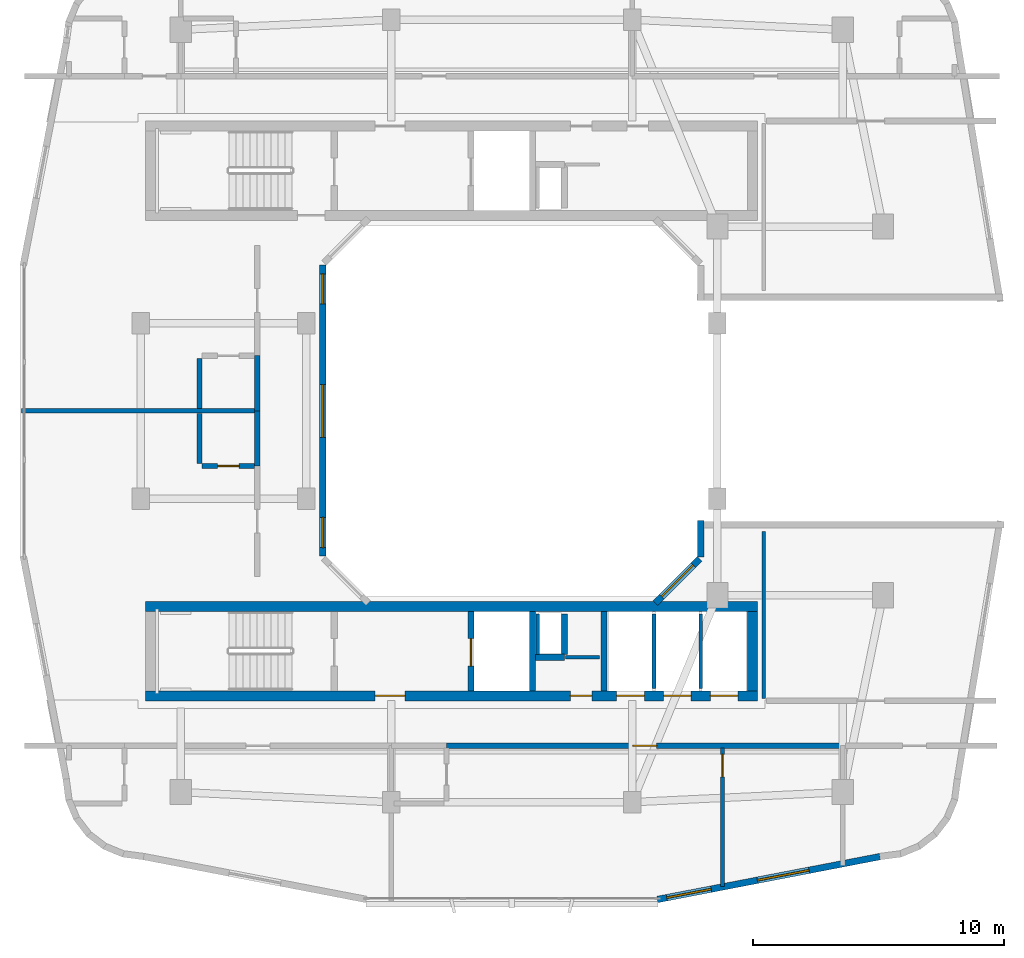
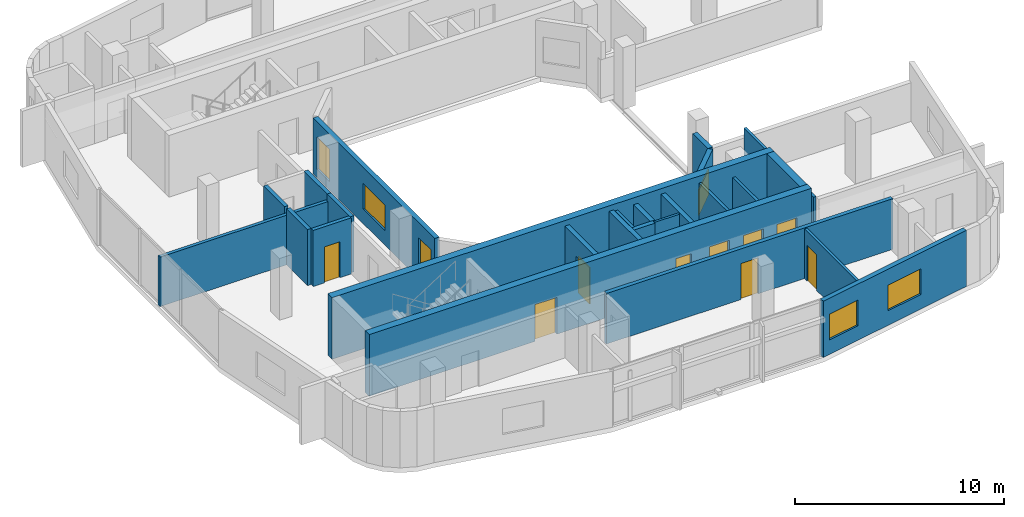
# One storey, part 5 of 12: 25 walls, 9 doors, 6 windows, 15 openings.
"""IFC4 building model written with IfcOpenShell, lengths in metres."""

from ifc_helpers import new_model, si_unit, derived_unit, direction, frame, frame_2d, origin, place, context, subcontext, project, spatial, rectangle, extrude, material, layer, layer_set, type_object, element, fill, save


model = new_model("IFC4")

# Units and contexts
model_context = context("Model", 3, precision=1e-05, world=origin(), true_north=direction((0.0, 1.0)))
body_context = subcontext(model_context, "Body", "Model", "MODEL_VIEW")
ifc_project = project(units=[si_unit("LENGTHUNIT", "METRE"), si_unit("AREAUNIT", "SQUARE_METRE"), si_unit("VOLUMEUNIT", "CUBIC_METRE"), si_unit("PLANEANGLEUNIT", "RADIAN"), si_unit("MASSUNIT", "GRAM", prefix="KILO"), derived_unit("THERMALTRANSMITTANCEUNIT", [(si_unit("POWERUNIT", "WATT"), 1), (si_unit("LENGTHUNIT", "METRE"), -2), (si_unit("THERMODYNAMICTEMPERATUREUNIT", "KELVIN"), -1)])], contexts=[model_context])

# Site, building, storey
site_placement = place(None, origin())
site = spatial("IfcSite", under=ifc_project, at=site_placement, CompositionType="ELEMENT")
building_placement = place(site_placement, origin())
building = spatial("IfcBuilding", under=site, at=building_placement, Name="Kivonza Crest Hotel", CompositionType="ELEMENT")
storey_placement = place(building_placement, frame((0.0, 0.0, 195.5)))
storey = spatial("IfcBuildingStorey", under=building, at=storey_placement, Name="L53", CompositionType="ELEMENT", Elevation=195.5)

# Wall
ifc_material_1 = material(Name="High-density acoustic masonry inter-tenancy wall", Category="masonry")
ifc_layer_1 = layer(ifc_material_1, 0.179931640625)
ifc_layer_set_1 = layer_set([ifc_layer_1], Name="High-density acoustic masonry inter-tenancy wall")
wall_type_1 = type_object("IfcWallType", Name="WL-ACOU-180", PredefinedType="SOLIDWALL", material=ifc_layer_set_1)
wall_1_placement = place(storey_placement, frame((1.4599609375, 25.0, 0.0), z_axis=(0.0, 0.0, 1.0), x_axis=(1.0, 0.0, 0.0)))
element("IfcWall", 1, at=wall_1_placement, inside=storey, type_object=wall_type_1, Name="L53 interior partition WA-L53-T1W-DIV1", PredefinedType="SOLIDWALL", context=body_context, shape_type="SweptSolid", body=[
    extrude(rectangle(XDim=9.39013671875, YDim=0.179931640625, at=frame_2d((4.695068359375, 0.0))), origin(), (0.0, 0.0, 1.0), 2.89501953125),
])

# Wall, opening, door
ifc_material_2 = material(Name="Autoclaved aerated concrete blockwork", Category="masonry")
ifc_layer_2 = layer(ifc_material_2, 0.219970703125)
ifc_layer_set_2 = layer_set([ifc_layer_2], Name="Autoclaved aerated concrete blockwork")
wall_type_2 = type_object("IfcWallType", Name="WL-ACOU-220", PredefinedType="SOLIDWALL", material=ifc_layer_set_2)
wall_2_placement = place(storey_placement, frame((18.39990234375, 11.64990234375, 0.0), z_axis=(0.0, 0.0, 1.0), x_axis=(1.0, 0.0, 0.0)))
wall_2 = element("IfcWall", 2, at=wall_2_placement, inside=storey, type_object=wall_type_2, Name="L53 interior partition WA-L53-S05-MCORR", PredefinedType="SOLIDWALL", context=body_context, shape_type="SweptSolid", body=[
    extrude(rectangle(XDim=15.800048828125, YDim=0.219970703125, at=frame_2d((7.89990234375, 0.0))), origin(), (0.0, 0.0, 1.0), 2.955078125),
])
opening_1_placement = place(wall_2_placement, frame((7.425048828125, 0.0, 0.0)))
opening_1 = element("IfcOpeningElement", 3, at=opening_1_placement, cuts=wall_2, Name="Opening DU-60", PredefinedType="OPENING", context=body_context, shape_type="SweptSolid", body=[
    extrude(rectangle(XDim=0.949951171875, YDim=2.10009765625, at=frame_2d((0.47509765625, 1.050048828125))), frame((0.0, 0.1201171875, 0.0), z_axis=(0.0, -1.0, 0.0), x_axis=(1.0, 0.0, 0.0)), (0.0, 0.0, 1.0), 0.239990234375),
])
ifc_material_3 = material(Name="Hardwood timber oak", Category="wood")
door_type_1 = type_object("IfcDoorType", Name="DR-UNIT-950", OperationType="NOTDEFINED", PredefinedType="DOOR", material=ifc_material_3)
door_1_placement = place(opening_1_placement, frame((0.949951171875, 0.0, 0.0), z_axis=(0.0, 0.0, 1.0), x_axis=(-1.0, 0.0, 0.0)))
door_1 = element("IfcDoor", 4, at=door_1_placement, inside=storey, type_object=door_type_1, Name="L53 S05 guest unit entrance fire door", OperationType="SINGLE_SWING_LEFT", OverallHeight=2.10009765625, OverallWidth=0.949951171875, PredefinedType="DOOR", context=body_context, shape_type="SweptSolid", body=[
    extrude(rectangle(XDim=0.949951171875, YDim=2.10009765625, at=frame_2d((0.47509765625, 1.050048828125))), frame((0.0, 0.02490234375, 0.0), z_axis=(0.0, -1.0, 0.0), x_axis=(1.0, 0.0, 0.0)), (0.0, 0.0, 1.0), 0.050048828125),
])
fill(opening_1, door_1)

# Walls
for number, where, z_axis, x_axis, name in (
    (5, (10.85009765625, 22.800048828125, 0.0), (0.0, 0.0, 1.0), (0.0, 1.0, 0.0), "L53 interior partition WA-L53-W06-BCORR"),
    (6, (10.85009765625, 25.0, 0.0), (0.0, 0.0, 1.0), (0.0, 1.0, 0.0), "L53 interior partition WA-L53-W07-BCORR"),
):
    element("IfcWall", number, at=place(storey_placement, frame(where, z_axis=z_axis, x_axis=x_axis)), inside=storey, type_object=wall_type_2, Name=name, PredefinedType="SOLIDWALL", context=body_context, shape_type="SweptSolid", body=[
        extrude(rectangle(XDim=2.199951171875, YDim=0.219970703125, at=frame_2d((1.10009765625, 0.0))), origin(), (0.0, 0.0, 1.0), 3.280029296875),
    ])

# Wall, openings, doors
ifc_material_4 = material(Name="Concrete C50/60", Category="concrete")
ifc_layer_3 = layer(ifc_material_4, 0.39990234375)
ifc_layer_set_3 = layer_set([ifc_layer_3], Name="Concrete C50/60")
wall_type_3 = type_object("IfcWallType", Name="WL-CORE-400", PredefinedType="SHEAR", material=ifc_layer_set_3)
wall_3_placement = place(storey_placement, frame((6.39990234375, 13.639892578125, 0.0), z_axis=(0.0, 0.0, 1.0), x_axis=(1.0, 0.0, 0.0)))
wall_3 = element("IfcWall", 7, at=wall_3_placement, inside=storey, type_object=wall_type_3, Name="Core wall T1-S South L53", PredefinedType="SHEAR", context=body_context, shape_type="SweptSolid", body=[
    extrude(rectangle(XDim=24.400146484375, YDim=0.39990234375, at=frame_2d((12.2001953125, 0.0))), origin(), (0.0, 0.0, 1.0), 3.60009765625),
])
opening_2_placement = place(wall_3_placement, frame((9.14990234375, 0.0, 0.0)))
opening_2 = element("IfcOpeningElement", 8, at=opening_2_placement, cuts=wall_3, Name="Opening DF-60", PredefinedType="OPENING", context=body_context, shape_type="SweptSolid", body=[
    extrude(rectangle(XDim=1.199951171875, YDim=2.14990234375, at=frame_2d((0.60009765625, 1.074951171875))), frame((0.0, 0.2099609375, 0.0), z_axis=(0.0, -1.0, 0.0), x_axis=(1.0, 0.0, 0.0)), (0.0, 0.0, 1.0), 0.419921875),
])
opening_3_placement = place(wall_3_placement, frame((16.93994140625, 0.0, 0.0)))
opening_3 = element("IfcOpeningElement", 9, at=opening_3_placement, cuts=wall_3, Name="Opening DF-60R", PredefinedType="OPENING", context=body_context, shape_type="SweptSolid", body=[
    extrude(rectangle(XDim=0.85009765625, YDim=2.10009765625, at=frame_2d((0.425048828125, 1.050048828125))), frame((0.0, 0.2099609375, 0.0), z_axis=(0.0, -1.0, 0.0), x_axis=(1.0, 0.0, 0.0)), (0.0, 0.0, 1.0), 0.419921875),
])
opening_4_placement = place(wall_3_placement, frame((18.782958984375, 0.0, 0.0)))
opening_4 = element("IfcOpeningElement", 10, at=opening_4_placement, cuts=wall_3, Name="Opening LD-120", PredefinedType="OPENING", context=body_context, shape_type="SweptSolid", body=[
    extrude(rectangle(XDim=1.10009765625, YDim=2.14990234375, at=frame_2d((0.550048828125, 1.074951171875))), frame((0.0, 0.2099609375, 0.0), z_axis=(0.0, -1.0, 0.0), x_axis=(1.0, 0.0, 0.0)), (0.0, 0.0, 1.0), 0.419921875),
])
opening_5_placement = place(wall_3_placement, frame((20.64990234375, 0.0, 0.0)))
opening_5 = element("IfcOpeningElement", 11, at=opening_5_placement, cuts=wall_3, Name="Opening LD-120", PredefinedType="OPENING", context=body_context, shape_type="SweptSolid", body=[
    extrude(rectangle(XDim=1.10009765625, YDim=2.14990234375, at=frame_2d((0.550048828125, 1.074951171875))), frame((0.0, 0.2099609375, 0.0), z_axis=(0.0, -1.0, 0.0), x_axis=(1.0, 0.0, 0.0)), (0.0, 0.0, 1.0), 0.419921875),
])
opening_6_placement = place(wall_3_placement, frame((22.51708984375, 0.0, 0.0)))
opening_6 = element("IfcOpeningElement", 12, at=opening_6_placement, cuts=wall_3, Name="Opening LD-120", PredefinedType="OPENING", context=body_context, shape_type="SweptSolid", body=[
    extrude(rectangle(XDim=1.10009765625, YDim=2.14990234375, at=frame_2d((0.550048828125, 1.074951171875))), frame((0.0, 0.2099609375, 0.0), z_axis=(0.0, -1.0, 0.0), x_axis=(1.0, 0.0, 0.0)), (0.0, 0.0, 1.0), 0.419921875),
])
door_type_2 = type_object("IfcDoorType", Name="DR-FD60-1200", OperationType="NOTDEFINED", PredefinedType="DOOR", material=ifc_material_3)
door_2_placement = place(opening_2_placement, frame((1.199951171875, 0.0, 0.0), z_axis=(0.0, 0.0, 1.0), x_axis=(-1.0, 0.0, 0.0)))
door_2 = element("IfcDoor", 13, at=door_2_placement, inside=storey, type_object=door_type_2, Name="L53 T1-S firefighting lobby fire door", OperationType="SINGLE_SWING_LEFT", OverallHeight=2.14990234375, OverallWidth=1.199951171875, PredefinedType="DOOR", context=body_context, shape_type="SweptSolid", body=[
    extrude(rectangle(XDim=1.199951171875, YDim=2.14990234375, at=frame_2d((0.60009765625, 1.074951171875))), frame((0.0, 0.02490234375, 0.0), z_axis=(0.0, -1.0, 0.0), x_axis=(1.0, 0.0, 0.0)), (0.0, 0.0, 1.0), 0.050048828125),
])
fill(opening_2, door_2)
door_type_3 = type_object("IfcDoorType", Name="DR-FD60-850", OperationType="NOTDEFINED", PredefinedType="DOOR", material=ifc_material_3)
door_3_placement = place(opening_3_placement, frame((0.85009765625, 0.0, 0.0), z_axis=(0.0, 0.0, 1.0), x_axis=(-1.0, 0.0, 0.0)))
door_3 = element("IfcDoor", 14, at=door_3_placement, inside=storey, type_object=door_type_3, Name="L53 T1-S core room door", OperationType="SINGLE_SWING_RIGHT", OverallHeight=2.10009765625, OverallWidth=0.85009765625, PredefinedType="DOOR", context=body_context, shape_type="SweptSolid", body=[
    extrude(rectangle(XDim=0.85009765625, YDim=2.10009765625, at=frame_2d((0.425048828125, 1.050048828125))), frame((0.0, 0.02490234375, 0.0), z_axis=(0.0, -1.0, 0.0), x_axis=(1.0, 0.0, 0.0)), (0.0, 0.0, 1.0), 0.050048828125),
])
fill(opening_3, door_3)
ifc_material_5 = material(Name="Stainless steel", Category="steel")
door_type_4 = type_object("IfcDoorType", Name="DR-LD120-1100", OperationType="NOTDEFINED", PredefinedType="DOOR", material=ifc_material_5)
door_4_placement = place(opening_4_placement, frame((1.10009765625, 0.0, 0.0), z_axis=(0.0, 0.0, 1.0), x_axis=(-1.0, 0.0, 0.0)))
door_4 = element("IfcDoor", 15, at=door_4_placement, inside=storey, type_object=door_type_4, Name="L53 PL-T1-H1 passenger lift sliding landing door", OperationType="DOUBLE_DOOR_SLIDING", OverallHeight=2.14990234375, OverallWidth=1.10009765625, PredefinedType="DOOR", context=body_context, shape_type="SweptSolid", body=[
    extrude(rectangle(XDim=1.10009765625, YDim=2.14990234375, at=frame_2d((0.550048828125, 1.074951171875))), frame((0.0, 0.02490234375, 0.0), z_axis=(0.0, -1.0, 0.0), x_axis=(1.0, 0.0, 0.0)), (0.0, 0.0, 1.0), 0.050048828125),
])
fill(opening_4, door_4)
door_5_placement = place(opening_5_placement, frame((1.10009765625, 0.0, 0.0), z_axis=(0.0, 0.0, 1.0), x_axis=(-1.0, 0.0, 0.0)))
door_5 = element("IfcDoor", 16, at=door_5_placement, inside=storey, type_object=door_type_4, Name="L53 PL-T1-H2 passenger lift sliding landing door", OperationType="DOUBLE_DOOR_SLIDING", OverallHeight=2.14990234375, OverallWidth=1.10009765625, PredefinedType="DOOR", context=body_context, shape_type="SweptSolid", body=[
    extrude(rectangle(XDim=1.10009765625, YDim=2.14990234375, at=frame_2d((0.550048828125, 1.074951171875))), frame((0.0, 0.02490234375, 0.0), z_axis=(0.0, -1.0, 0.0), x_axis=(1.0, 0.0, 0.0)), (0.0, 0.0, 1.0), 0.050048828125),
])
fill(opening_5, door_5)
door_6_placement = place(opening_6_placement, frame((1.10009765625, 0.0, 0.0), z_axis=(0.0, 0.0, 1.0), x_axis=(-1.0, 0.0, 0.0)))
door_6 = element("IfcDoor", 17, at=door_6_placement, inside=storey, type_object=door_type_4, Name="L53 PL-T1-H3 passenger lift sliding landing door", OperationType="DOUBLE_DOOR_SLIDING", OverallHeight=2.14990234375, OverallWidth=1.10009765625, PredefinedType="DOOR", context=body_context, shape_type="SweptSolid", body=[
    extrude(rectangle(XDim=1.10009765625, YDim=2.14990234375, at=frame_2d((0.550048828125, 1.074951171875))), frame((0.0, 0.02490234375, 0.0), z_axis=(0.0, -1.0, 0.0), x_axis=(1.0, 0.0, 0.0)), (0.0, 0.0, 1.0), 0.050048828125),
])
fill(opening_6, door_6)

# Walls
wall_4_placement = place(storey_placement, frame((6.39990234375, 17.199951171875, 0.0), z_axis=(0.0, 0.0, 1.0), x_axis=(1.0, 0.0, 0.0)))
element("IfcWall", 18, at=wall_4_placement, inside=storey, type_object=wall_type_3, Name="Core wall T1-S North L53", PredefinedType="SHEAR", context=body_context, shape_type="SweptSolid", body=[
    extrude(rectangle(XDim=24.400146484375, YDim=0.39990234375, at=frame_2d((12.2001953125, 0.0))), origin(), (0.0, 0.0, 1.0), 3.60009765625),
])
wall_5_placement = place(storey_placement, frame((30.60009765625, 13.840087890625, 0.0), z_axis=(0.0, 0.0, 1.0), x_axis=(0.0, 1.0, 0.0)))
element("IfcWall", 19, at=wall_5_placement, inside=storey, type_object=wall_type_3, Name="Core wall T1-S East L53", PredefinedType="SHEAR", context=body_context, shape_type="SweptSolid", body=[
    extrude(rectangle(XDim=3.159912109375, YDim=0.39990234375, at=frame_2d((1.580078125, 0.0))), origin(), (0.0, 0.0, 1.0), 3.60009765625),
])

# Wall, openings, windows
ifc_material_6 = material(Name="Precast concrete C40/50", Category="concrete")
ifc_layer_4 = layer(ifc_material_6, 0.260009765625)
ifc_layer_set_4 = layer_set([ifc_layer_4], Name="Precast concrete C40/50")
wall_type_4 = type_object("IfcWallType", Name="WL-EXT-260", PredefinedType="STANDARD", material=ifc_layer_set_4)
wall_6_placement = place(storey_placement, frame((26.801025390625, 5.51806640625, 0.0), z_axis=(0.0, 0.0, 1.0), x_axis=(0.98192801022, 0.189254809039, 0.0)))
wall_6 = element("IfcWall", 20, at=wall_6_placement, inside=storey, type_object=wall_type_4, Name="L53 T1 exterior insulated wall 9", PredefinedType="STANDARD", context=body_context, shape_type="SweptSolid", body=[
    extrude(rectangle(XDim=9.045654296875, YDim=0.260009765625, at=frame_2d((4.52294921875, 0.0))), origin(), (0.0, 0.0, 1.0), 3.280029296875),
])
opening_7_placement = place(wall_6_placement, frame((0.386962890625, 0.0, 0.85009765625)))
opening_7 = element("IfcOpeningElement", 21, at=opening_7_placement, cuts=wall_6, Name="Opening WN-03", PredefinedType="OPENING", context=body_context, shape_type="SweptSolid", body=[
    extrude(rectangle(XDim=1.800048828125, YDim=1.5, at=frame_2d((0.89990234375, 0.75))), frame((0.0, 0.14013671875, 0.0), z_axis=(0.0, -1.0, 0.0), x_axis=(1.0, 0.0, 0.0)), (0.0, 0.0, 1.0), 0.280029296875),
])
opening_8_placement = place(wall_6_placement, frame((4.06494140625, 0.0, 0.85009765625)))
opening_8 = element("IfcOpeningElement", 22, at=opening_8_placement, cuts=wall_6, Name="Opening WN-04", PredefinedType="OPENING", context=body_context, shape_type="SweptSolid", body=[
    extrude(rectangle(XDim=2.10009765625, YDim=1.5, at=frame_2d((1.050048828125, 0.75))), frame((0.0, 0.14013671875, 0.0), z_axis=(0.0, -1.0, 0.0), x_axis=(1.0, 0.0, 0.0)), (0.0, 0.0, 1.0), 0.280029296875),
])
ifc_material_7 = material(Name="Thermally broken bronze aluminium and low-E double glazing", Category="aluminium")
window_type_1 = type_object("IfcWindowType", Name="WN-180x150", PartitioningType="DOUBLE_PANEL_VERTICAL", PredefinedType="WINDOW", material=ifc_material_7)
window_1_placement = place(opening_7_placement, origin())
window_1 = element("IfcWindow", 23, at=window_1_placement, inside=storey, type_object=window_type_1, Name="L53 T1 facade window 9 bay 1", OverallHeight=1.5, OverallWidth=1.800048828125, PartitioningType="SINGLE_PANEL", PredefinedType="WINDOW", context=body_context, shape_type="SweptSolid", body=[
    extrude(rectangle(XDim=1.800048828125, YDim=1.5, at=frame_2d((0.89990234375, 0.75))), frame((0.0, 0.030029296875, 0.0), z_axis=(0.0, -1.0, 0.0), x_axis=(1.0, 0.0, 0.0)), (0.0, 0.0, 1.0), 0.06005859375),
])
fill(opening_7, window_1)
window_type_2 = type_object("IfcWindowType", Name="WN-210x150", PartitioningType="DOUBLE_PANEL_VERTICAL", PredefinedType="WINDOW", material=ifc_material_7)
window_2_placement = place(opening_8_placement, origin())
window_2 = element("IfcWindow", 24, at=window_2_placement, inside=storey, type_object=window_type_2, Name="L53 T1 facade window 9 bay 2", OverallHeight=1.5, OverallWidth=2.10009765625, PartitioningType="SINGLE_PANEL", PredefinedType="WINDOW", context=body_context, shape_type="SweptSolid", body=[
    extrude(rectangle(XDim=2.10009765625, YDim=1.5, at=frame_2d((1.050048828125, 0.75))), frame((0.0, 0.030029296875, 0.0), z_axis=(0.0, -1.0, 0.0), x_axis=(1.0, 0.0, 0.0)), (0.0, 0.0, 1.0), 0.06005859375),
])
fill(opening_8, window_2)

# Wall
wall_7_placement = place(storey_placement, frame((28.530029296875, 20.625, 0.0), z_axis=(0.0, 0.0, 1.0), x_axis=(0.0, -1.0, 0.0)))
element("IfcWall", 25, at=wall_7_placement, inside=storey, type_object=wall_type_4, Name="L53 T1 exterior insulated wall 18", PredefinedType="STANDARD", context=body_context, shape_type="SweptSolid", body=[
    extrude(rectangle(XDim=1.449951171875, YDim=0.260009765625, at=frame_2d((0.72509765625, 0.0))), origin(), (0.0, 0.0, 1.0), 3.280029296875),
])

# Wall, opening, window
wall_8_placement = place(storey_placement, frame((28.485107421875, 19.10107421875, 0.0), z_axis=(0.0, 0.0, 1.0), x_axis=(-0.707106781187, -0.707106781187, 0.0)))
wall_8 = element("IfcWall", 26, at=wall_8_placement, inside=storey, type_object=wall_type_4, Name="L53 T1 exterior insulated wall 19", PredefinedType="STANDARD", context=body_context, shape_type="SweptSolid", body=[
    extrude(rectangle(XDim=2.493408203125, YDim=0.260009765625, at=frame_2d((1.24658203125, 0.0))), origin(), (0.0, 0.0, 1.0), 3.280029296875),
])
opening_9_placement = place(wall_8_placement, frame((0.346923828125, 0.0, 0.85009765625)))
opening_9 = element("IfcOpeningElement", 27, at=opening_9_placement, cuts=wall_8, Name="Opening WN-03", PredefinedType="OPENING", context=body_context, shape_type="SweptSolid", body=[
    extrude(rectangle(XDim=1.800048828125, YDim=1.5, at=frame_2d((0.89990234375, 0.75))), frame((0.0, 0.14013671875, 0.0), z_axis=(0.0, -1.0, 0.0), x_axis=(1.0, 0.0, 0.0)), (0.0, 0.0, 1.0), 0.280029296875),
])
window_3_placement = place(opening_9_placement, origin())
window_3 = element("IfcWindow", 28, at=window_3_placement, inside=storey, type_object=window_type_1, Name="L53 T1 facade window 19", OverallHeight=1.5, OverallWidth=1.800048828125, PartitioningType="SINGLE_PANEL", PredefinedType="WINDOW", context=body_context, shape_type="SweptSolid", body=[
    extrude(rectangle(XDim=1.800048828125, YDim=1.5, at=frame_2d((0.89990234375, 0.75))), frame((0.0, 0.030029296875, 0.0), z_axis=(0.0, -1.0, 0.0), x_axis=(1.0, 0.0, 0.0)), (0.0, 0.0, 1.0), 0.06005859375),
])
fill(opening_9, window_3)

# Wall, openings, windows
wall_9_placement = place(storey_placement, frame((13.469970703125, 19.2099609375, 0.0), z_axis=(0.0, 0.0, 1.0), x_axis=(0.0, 1.0, 0.0)))
wall_9 = element("IfcWall", 29, at=wall_9_placement, inside=storey, type_object=wall_type_4, Name="L53 T1 exterior insulated wall 22", PredefinedType="STANDARD", context=body_context, shape_type="SweptSolid", body=[
    extrude(rectangle(XDim=11.614990234375, YDim=0.260009765625, at=frame_2d((5.8076171875, 0.0))), origin(), (0.0, 0.0, 1.0), 3.280029296875),
])
opening_10_placement = place(wall_9_placement, frame((0.342041015625, 0.0, 0.5)))
opening_10 = element("IfcOpeningElement", 30, at=opening_10_placement, cuts=wall_9, Name="Opening WN-06", PredefinedType="OPENING", context=body_context, shape_type="SweptSolid", body=[
    extrude(rectangle(XDim=1.199951171875, YDim=1.89990234375, at=frame_2d((0.60009765625, 0.949951171875))), frame((0.0, 0.14013671875, 0.0), z_axis=(0.0, -1.0, 0.0), x_axis=(1.0, 0.0, 0.0)), (0.0, 0.0, 1.0), 0.280029296875),
])
opening_11_placement = place(wall_9_placement, frame((4.739990234375, 0.0, 0.85009765625)))
opening_11 = element("IfcOpeningElement", 31, at=opening_11_placement, cuts=wall_9, Name="Opening WN-04", PredefinedType="OPENING", context=body_context, shape_type="SweptSolid", body=[
    extrude(rectangle(XDim=2.10009765625, YDim=1.5, at=frame_2d((1.050048828125, 0.75))), frame((0.0, 0.14013671875, 0.0), z_axis=(0.0, -1.0, 0.0), x_axis=(1.0, 0.0, 0.0)), (0.0, 0.0, 1.0), 0.280029296875),
])
opening_12_placement = place(wall_9_placement, frame((10.054931640625, 0.0, 0.5)))
opening_12 = element("IfcOpeningElement", 32, at=opening_12_placement, cuts=wall_9, Name="Opening WN-06", PredefinedType="OPENING", context=body_context, shape_type="SweptSolid", body=[
    extrude(rectangle(XDim=1.199951171875, YDim=1.89990234375, at=frame_2d((0.60009765625, 0.949951171875))), frame((0.0, 0.14013671875, 0.0), z_axis=(0.0, -1.0, 0.0), x_axis=(1.0, 0.0, 0.0)), (0.0, 0.0, 1.0), 0.280029296875),
])
window_type_3 = type_object("IfcWindowType", Name="WN-120x190", PartitioningType="SINGLE_PANEL", PredefinedType="WINDOW", material=ifc_material_7)
window_4_placement = place(opening_10_placement, origin())
window_4 = element("IfcWindow", 33, at=window_4_placement, inside=storey, type_object=window_type_3, Name="L53 T1 facade window 22 bay 1", OverallHeight=1.89990234375, OverallWidth=1.199951171875, PartitioningType="SINGLE_PANEL", PredefinedType="WINDOW", context=body_context, shape_type="SweptSolid", body=[
    extrude(rectangle(XDim=1.199951171875, YDim=1.89990234375, at=frame_2d((0.60009765625, 0.949951171875))), frame((0.0, 0.030029296875, 0.0), z_axis=(0.0, -1.0, 0.0), x_axis=(1.0, 0.0, 0.0)), (0.0, 0.0, 1.0), 0.06005859375),
])
fill(opening_10, window_4)
window_5_placement = place(opening_12_placement, origin())
window_5 = element("IfcWindow", 34, at=window_5_placement, inside=storey, type_object=window_type_3, Name="L53 T1 facade window 22 bay 3", OverallHeight=1.89990234375, OverallWidth=1.199951171875, PartitioningType="SINGLE_PANEL", PredefinedType="WINDOW", context=body_context, shape_type="SweptSolid", body=[
    extrude(rectangle(XDim=1.199951171875, YDim=1.89990234375, at=frame_2d((0.60009765625, 0.949951171875))), frame((0.0, 0.030029296875, 0.0), z_axis=(0.0, -1.0, 0.0), x_axis=(1.0, 0.0, 0.0)), (0.0, 0.0, 1.0), 0.06005859375),
])
fill(opening_12, window_5)
window_6_placement = place(opening_11_placement, origin())
window_6 = element("IfcWindow", 35, at=window_6_placement, inside=storey, type_object=window_type_2, Name="L53 T1 facade window 22 bay 2", OverallHeight=1.5, OverallWidth=2.10009765625, PartitioningType="SINGLE_PANEL", PredefinedType="WINDOW", context=body_context, shape_type="SweptSolid", body=[
    extrude(rectangle(XDim=2.10009765625, YDim=1.5, at=frame_2d((1.050048828125, 0.75))), frame((0.0, 0.030029296875, 0.0), z_axis=(0.0, -1.0, 0.0), x_axis=(1.0, 0.0, 0.0)), (0.0, 0.0, 1.0), 0.06005859375),
])
fill(opening_11, window_6)

# Walls
ifc_material_8 = material(Name="Concrete blockwork fire-compartment wall", Category="masonry")
ifc_layer_5 = layer(ifc_material_8, 0.25)
ifc_layer_set_5 = layer_set([ifc_layer_5], Name="Concrete blockwork fire-compartment wall")
wall_type_5 = type_object("IfcWallType", Name="WL-FIRE-250", PredefinedType="SOLIDWALL", material=ifc_layer_set_5)
wall_10_placement = place(storey_placement, frame((23.10009765625, 15.280029296875, 0.0), z_axis=(0.0, 0.0, 1.0), x_axis=(0.0, 1.0, 0.0)))
element("IfcWall", 36, at=wall_10_placement, inside=storey, type_object=wall_type_5, Name="L53 interior partition WA-L53-T1-S-MEPR-E", PredefinedType="SOLIDWALL", context=body_context, shape_type="SweptSolid", body=[
    extrude(rectangle(XDim=1.619873046875, YDim=0.25, at=frame_2d((0.81005859375, 0.0))), origin(), (0.0, 0.0, 1.0), 3.280029296875),
])
wall_11_placement = place(storey_placement, frame((21.949951171875, 15.179931640625, 0.0), z_axis=(0.0, 0.0, 1.0), x_axis=(1.0, 0.0, 0.0)))
element("IfcWall", 37, at=wall_11_placement, inside=storey, type_object=wall_type_5, Name="L53 interior partition WA-L53-T1-S-MEPR-H", PredefinedType="SOLIDWALL", context=body_context, shape_type="SweptSolid", body=[
    extrude(rectangle(XDim=1.150146484375, YDim=0.25, at=frame_2d((0.5751953125, 0.0))), origin(), (0.0, 0.0, 1.0), 3.280029296875),
])
ifc_material_9 = material(Name="Metal-stud gypsum board partition", Category="gypsum")
ifc_layer_6 = layer(ifc_material_9, 0.125)
ifc_layer_set_6 = layer_set([ifc_layer_6], Name="Metal-stud gypsum board partition")
wall_type_6 = type_object("IfcWallType", Name="WL-PART-125", PredefinedType="PARTITIONING", material=ifc_layer_set_6)
wall_12_placement = place(storey_placement, frame((23.14990234375, 15.179931640625, 0.0), z_axis=(0.0, 0.0, 1.0), x_axis=(1.0, 0.0, 0.0)))
element("IfcWall", 38, at=wall_12_placement, inside=storey, type_object=wall_type_6, Name="L53 interior partition WP-L53-T1-S-SV2H", PredefinedType="PARTITIONING", context=body_context, shape_type="SweptSolid", body=[
    extrude(rectangle(XDim=1.35009765625, YDim=0.125, at=frame_2d((0.675048828125, 0.0))), origin(), (0.0, 0.0, 1.0), 3.280029296875),
])
ifc_material_10 = material(Name="Twin-stud acoustic gypsum board partition", Category="gypsum")
ifc_layer_7 = layer(ifc_material_10, 0.14990234375)
ifc_layer_set_7 = layer_set([ifc_layer_7], Name="Twin-stud acoustic gypsum board partition")
wall_type_7 = type_object("IfcWallType", Name="WL-PART-150", PredefinedType="PARTITIONING", material=ifc_layer_set_7)
wall_13_placement = place(storey_placement, frame((22.030029296875, 15.280029296875, 0.0), z_axis=(0.0, 0.0, 1.0), x_axis=(0.0, 1.0, 0.0)))
element("IfcWall", 39, at=wall_13_placement, inside=storey, type_object=wall_type_7, Name="L53 interior partition WA-L53-T1-S-MEPR-W", PredefinedType="PARTITIONING", context=body_context, shape_type="SweptSolid", body=[
    extrude(rectangle(XDim=1.619873046875, YDim=0.14990234375, at=frame_2d((0.81005859375, 0.0))), origin(), (0.0, 0.0, 1.0), 3.280029296875),
])
wall_14_placement = place(storey_placement, frame((26.6669921875, 13.93994140625, 0.0), z_axis=(0.0, 0.0, 1.0), x_axis=(0.0, 1.0, 0.0)))
element("IfcWall", 40, at=wall_14_placement, inside=storey, type_object=wall_type_7, Name="L53 interior partition WP-L53-T1-S-BSH-1", PredefinedType="PARTITIONING", context=body_context, shape_type="SweptSolid", body=[
    extrude(rectangle(XDim=2.9599609375, YDim=0.14990234375, at=frame_2d((1.47998046875, 0.0))), origin(), (0.0, 0.0, 1.0), 3.280029296875),
])
wall_15_placement = place(storey_placement, frame((28.532958984375, 13.93994140625, 0.0), z_axis=(0.0, 0.0, 1.0), x_axis=(0.0, 1.0, 0.0)))
element("IfcWall", 41, at=wall_15_placement, inside=storey, type_object=wall_type_7, Name="L53 interior partition WP-L53-T1-S-BSH-2", PredefinedType="PARTITIONING", context=body_context, shape_type="SweptSolid", body=[
    extrude(rectangle(XDim=2.9599609375, YDim=0.14990234375, at=frame_2d((1.47998046875, 0.0))), origin(), (0.0, 0.0, 1.0), 2.955078125),
])

# Wall, opening, door
wall_16_placement = place(storey_placement, frame((29.39990234375, 6.047119140625, 0.0), z_axis=(0.0, 0.0, 1.0), x_axis=(0.0, 1.0, 0.0)))
wall_16 = element("IfcWall", 42, at=wall_16_placement, inside=storey, type_object=wall_type_7, Name="L53 interior partition WP-L53-S05-SPSP", PredefinedType="PARTITIONING", context=body_context, shape_type="SweptSolid", body=[
    extrude(rectangle(XDim=5.5029296875, YDim=0.14990234375, at=frame_2d((2.75146484375, 0.0))), origin(), (0.0, 0.0, 1.0), 2.89501953125),
])
opening_13_placement = place(wall_16_placement, frame((4.363037109375, 0.0, 0.0)))
opening_13 = element("IfcOpeningElement", 43, at=opening_13_placement, cuts=wall_16, Name="Opening DI-90", PredefinedType="OPENING", context=body_context, shape_type="SweptSolid", body=[
    extrude(rectangle(XDim=0.89990234375, YDim=2.10009765625, at=frame_2d((0.449951171875, 1.050048828125))), frame((0.0, 0.0849609375, 0.0), z_axis=(0.0, -1.0, 0.0), x_axis=(1.0, 0.0, 0.0)), (0.0, 0.0, 1.0), 0.169921875),
])
door_type_5 = type_object("IfcDoorType", Name="DR-INT-900", OperationType="NOTDEFINED", PredefinedType="DOOR", material=ifc_material_3)
door_7_placement = place(opening_13_placement, origin())
door_7 = element("IfcDoor", 44, at=door_7_placement, inside=storey, type_object=door_type_5, Name="L53 S05 suite bedroom door", OperationType="SINGLE_SWING_RIGHT", OverallHeight=2.10009765625, OverallWidth=0.89990234375, PredefinedType="DOOR", context=body_context, shape_type="SweptSolid", body=[
    extrude(rectangle(XDim=0.89990234375, YDim=2.10009765625, at=frame_2d((0.449951171875, 1.050048828125))), frame((0.0, 0.02490234375, 0.0), z_axis=(0.0, -1.0, 0.0), x_axis=(1.0, 0.0, 0.0)), (0.0, 0.0, 1.0), 0.050048828125),
])
fill(opening_13, door_7)

# Wall
wall_17_placement = place(storey_placement, frame((31.050048828125, 13.5400390625, 0.0), z_axis=(0.0, 0.0, 1.0), x_axis=(0.0, 1.0, 0.0)))
element("IfcWall", 45, at=wall_17_placement, inside=storey, type_object=wall_type_7, Name="L53 interior partition WP-L53-EP1-BW", PredefinedType="PARTITIONING", context=body_context, shape_type="SweptSolid", body=[
    extrude(rectangle(XDim=6.659912109375, YDim=0.14990234375, at=frame_2d((3.330078125, 0.0))), origin(), (0.0, 0.0, 1.0), 2.955078125),
])

# Wall, opening, door
ifc_material_11 = material(Name="Moisture-resistant plumbing chase partition wall", Category="gypsum")
ifc_layer_8 = layer(ifc_material_11, 0.199951171875)
ifc_layer_set_8 = layer_set([ifc_layer_8], Name="Moisture-resistant plumbing chase partition wall")
wall_type_8 = type_object("IfcWallType", Name="WL-PLUMB-200", PredefinedType="PLUMBINGWALL", material=ifc_layer_set_8)
wall_18_placement = place(storey_placement, frame((8.64990234375, 22.800048828125, 0.0), z_axis=(0.0, 0.0, 1.0), x_axis=(1.0, 0.0, 0.0)))
wall_18 = element("IfcWall", 46, at=wall_18_placement, inside=storey, type_object=wall_type_8, Name="L53 interior partition WW-L53-W06-BH", PredefinedType="PLUMBINGWALL", context=body_context, shape_type="SweptSolid", body=[
    extrude(rectangle(XDim=2.10009765625, YDim=0.199951171875, at=frame_2d((1.050048828125, 0.0))), origin(), (0.0, 0.0, 1.0), 3.280029296875),
])
opening_14_placement = place(wall_18_placement, frame((0.625, 0.0, 0.0)))
opening_14 = element("IfcOpeningElement", 47, at=opening_14_placement, cuts=wall_18, Name="Opening DI-85", PredefinedType="OPENING", context=body_context, shape_type="SweptSolid", body=[
    extrude(rectangle(XDim=0.85009765625, YDim=2.10009765625, at=frame_2d((0.425048828125, 1.050048828125))), frame((0.0, 0.10986328125, 0.0), z_axis=(0.0, -1.0, 0.0), x_axis=(1.0, 0.0, 0.0)), (0.0, 0.0, 1.0), 0.219970703125),
])
door_type_6 = type_object("IfcDoorType", Name="DR-INT-850", OperationType="NOTDEFINED", PredefinedType="DOOR", material=ifc_material_3)
door_8_placement = place(opening_14_placement, frame((0.85009765625, 0.0, 0.0), z_axis=(0.0, 0.0, 1.0), x_axis=(-1.0, 0.0, 0.0)))
door_8 = element("IfcDoor", 48, at=door_8_placement, inside=storey, type_object=door_type_6, Name="L53 W06 en-suite bathroom door", OperationType="SINGLE_SWING_LEFT", OverallHeight=2.10009765625, OverallWidth=0.85009765625, PredefinedType="DOOR", context=body_context, shape_type="SweptSolid", body=[
    extrude(rectangle(XDim=0.85009765625, YDim=2.10009765625, at=frame_2d((0.425048828125, 1.050048828125))), frame((0.0, 0.02490234375, 0.0), z_axis=(0.0, -1.0, 0.0), x_axis=(1.0, 0.0, 0.0)), (0.0, 0.0, 1.0), 0.050048828125),
])
fill(opening_14, door_8)

# Walls
for number, where, z_axis, x_axis, name in (
    (49, (8.550048828125, 22.89990234375, 0.0), (0.0, 0.0, 1.0), (0.0, 1.0, 0.0), "L53 interior partition WW-L53-W06-BV"),
    (50, (8.550048828125, 25.10009765625, 0.0), (0.0, 0.0, 1.0), (0.0, 1.0, 0.0), "L53 interior partition WW-L53-W07-BV"),
):
    element("IfcWall", number, at=place(storey_placement, frame(where, z_axis=z_axis, x_axis=x_axis)), inside=storey, type_object=wall_type_8, Name=name, PredefinedType="PLUMBINGWALL", context=body_context, shape_type="SweptSolid", body=[
        extrude(rectangle(XDim=2.0, YDim=0.199951171875, at=frame_2d((1.0, 0.0))), origin(), (0.0, 0.0, 1.0), 3.280029296875),
    ])

# Wall, opening, door
ifc_layer_9 = layer(ifc_material_4, 0.25)
ifc_layer_set_9 = layer_set([ifc_layer_9], Name="Concrete C50/60")
wall_type_9 = type_object("IfcWallType", Name="WL-SHAFT-250", PredefinedType="STANDARD", material=ifc_layer_set_9)
wall_19_placement = place(storey_placement, frame((19.375, 13.840087890625, 0.0), z_axis=(0.0, 0.0, 1.0), x_axis=(0.0, 1.0, 0.0)))
wall_19 = element("IfcWall", 51, at=wall_19_placement, inside=storey, type_object=wall_type_9, Name="Core shaft wall T1-S FFL-W L53", PredefinedType="STANDARD", context=body_context, shape_type="SweptSolid", body=[
    extrude(rectangle(XDim=3.159912109375, YDim=0.25, at=frame_2d((1.580078125, 0.0))), origin(), (0.0, 0.0, 1.0), 3.280029296875),
])
opening_15_placement = place(wall_19_placement, frame((0.97998046875, 0.0, 0.0)))
opening_15 = element("IfcOpeningElement", 52, at=opening_15_placement, cuts=wall_19, Name="Opening LD-120", PredefinedType="OPENING", context=body_context, shape_type="SweptSolid", body=[
    extrude(rectangle(XDim=1.10009765625, YDim=2.14990234375, at=frame_2d((0.550048828125, 1.074951171875))), frame((0.0, 0.135009765625, 0.0), z_axis=(0.0, -1.0, 0.0), x_axis=(1.0, 0.0, 0.0)), (0.0, 0.0, 1.0), 0.27001953125),
])
door_9_placement = place(opening_15_placement, origin())
door_9 = element("IfcDoor", 53, at=door_9_placement, inside=storey, type_object=door_type_4, Name="L53 FFL-T1-S firefighting lift sliding landing door", OperationType="DOUBLE_DOOR_SLIDING", OverallHeight=2.14990234375, OverallWidth=1.10009765625, PredefinedType="DOOR", context=body_context, shape_type="SweptSolid", body=[
    extrude(rectangle(XDim=1.10009765625, YDim=2.14990234375, at=frame_2d((0.550048828125, 1.074951171875))), frame((0.0, 0.02490234375, 0.0), z_axis=(0.0, -1.0, 0.0), x_axis=(1.0, 0.0, 0.0)), (0.0, 0.0, 1.0), 0.050048828125),
])
fill(opening_15, door_9)

# Walls
for number, where, z_axis, x_axis, name in (
    (54, (21.824951171875, 13.840087890625, 0.0), (0.0, 0.0, 1.0), (0.0, 1.0, 0.0), "Core shaft wall T1-S FFL-E L53"),
    (55, (24.675048828125, 13.840087890625, 0.0), (0.0, 0.0, 1.0), (0.0, 1.0, 0.0), "Core shaft wall T1-S BANK-W L53"),
):
    element("IfcWall", number, at=place(storey_placement, frame(where, z_axis=z_axis, x_axis=x_axis)), inside=storey, type_object=wall_type_9, Name=name, PredefinedType="STANDARD", context=body_context, shape_type="SweptSolid", body=[
        extrude(rectangle(XDim=3.159912109375, YDim=0.25, at=frame_2d((1.580078125, 0.0))), origin(), (0.0, 0.0, 1.0), 3.280029296875),
    ])

save(model, "model.ifc")
